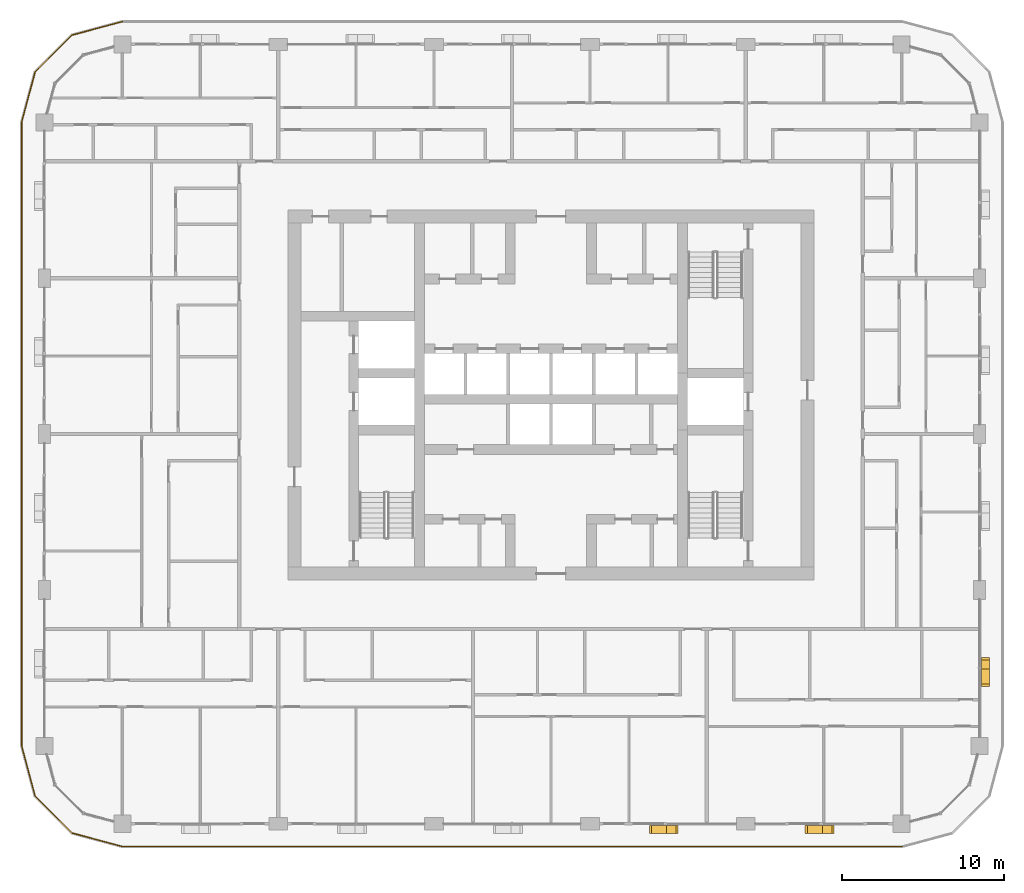
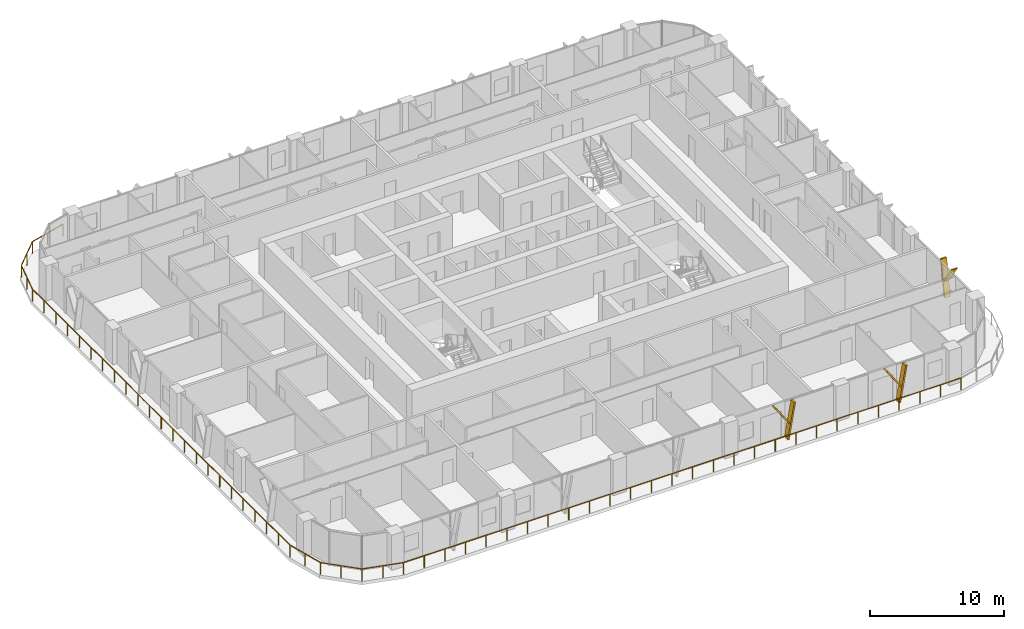
# One storey, part 19 of 22: 6 shading devices, 1 railing.
"""IFC4 building model written with IfcOpenShell, lengths in metres."""

from ifc_helpers import new_model, si_unit, direction, frame, origin, origin_2d, place, context, subcontext, project, spatial, polyline, circle, outline, extrude, material, type_object, element, save


model = new_model("IFC4")

# Units and contexts
model_context = context("Model", 3, precision=1e-05, world=origin(), true_north=direction((0.0, 1.0)))
body_context = subcontext(model_context, "Body", "Model", "MODEL_VIEW")
ifc_project = project(units=[si_unit("LENGTHUNIT", "METRE"), si_unit("AREAUNIT", "SQUARE_METRE"), si_unit("VOLUMEUNIT", "CUBIC_METRE"), si_unit("PLANEANGLEUNIT", "RADIAN"), si_unit("MASSUNIT", "GRAM", prefix="KILO")], contexts=[model_context])

# Site, building, storey
site_placement = place(None, origin())
site = spatial("IfcSite", under=ifc_project, at=site_placement, CompositionType="ELEMENT")
building_placement = place(site_placement, origin())
building = spatial("IfcBuilding", under=site, at=building_placement, Name="Madar Terraces", CompositionType="ELEMENT")
storey_placement = place(building_placement, frame((0.0, 0.0, 149.0)))
storey = spatial("IfcBuildingStorey", under=building, at=storey_placement, Name="L38", CompositionType="ELEMENT", Elevation=149.0)

# Railing
ifc_material_1 = material(Name="Glass, safety glazing, with stainless steel posts", Category="steel")
railing_type = type_object("IfcRailingType", Name="Balcony glass guard 1100", PredefinedType="GUARDRAIL", material=ifc_material_1)
railing_placement = place(storey_placement, frame((4.800048828125, 49.39990234375, 0.0)))
element("IfcRailing", 1, at=railing_placement, inside=storey, type_object=railing_type, Name="Balcony guard", PredefinedType="GUARDRAIL", context=body_context, shape_type="SweptSolid", body=[
    extrude(circle(Radius=0.02392578125, at=origin_2d()), frame((0.0, 0.0, 1.076171875), z_axis=(-0.9659337912, -0.258789317819, 0.0), x_axis=(0.258789317819, -0.9659337912, 0.0)), (0.0, 0.0, 1.0), 3.20947265625),
    extrude(circle(Radius=0.02392578125, at=origin_2d()), frame((-3.10009765625, -0.83056640625, 1.076171875), z_axis=(-0.707106781187, -0.707106781187, 0.0), x_axis=(0.707106781187, -0.707106781187, 0.0)), (0.0, 0.0, 1.0), 3.209228515625),
    extrude(circle(Radius=0.02392578125, at=origin_2d()), frame((-5.369384765625, -3.099853515625, 1.076171875), z_axis=(-0.258789317819, -0.9659337912, 0.0), x_axis=(0.9659337912, -0.258789317819, 0.0)), (0.0, 0.0, 1.0), 3.20947265625),
    extrude(circle(Radius=0.02392578125, at=origin_2d()), frame((-6.199951171875, -6.199951171875, 1.076171875), z_axis=(0.0, -1.0, 0.0), x_axis=(1.0, 0.0, 0.0)), (0.0, 0.0, 1.0), 38.39990234375),
    extrude(circle(Radius=0.02392578125, at=origin_2d()), frame((-6.199951171875, -44.599853515625, 1.076171875), z_axis=(0.258789317819, -0.9659337912, 0.0), x_axis=(0.9659337912, 0.258789317819, 0.0)), (0.0, 0.0, 1.0), 3.20947265625),
    extrude(circle(Radius=0.02392578125, at=origin_2d()), frame((-5.369384765625, -47.699951171875, 1.076171875), z_axis=(0.707106781187, -0.707106781187, 0.0), x_axis=(0.707106781187, 0.707106781187, 0.0)), (0.0, 0.0, 1.0), 3.209228515625),
    extrude(circle(Radius=0.02392578125, at=origin_2d()), frame((-3.10009765625, -49.96923828125, 1.076171875), z_axis=(0.9659337912, -0.258789317819, 0.0), x_axis=(0.258789317819, 0.9659337912, 0.0)), (0.0, 0.0, 1.0), 3.20947265625),
    extrude(circle(Radius=0.02392578125, at=origin_2d()), frame((0.0, -50.7998046875, 1.076171875), z_axis=(1.0, 0.0, 0.0), x_axis=(0.0, 1.0, 0.0)), (0.0, 0.0, 1.0), 48.0),
    extrude(circle(Radius=0.02099609375, at=origin_2d()), origin(), (0.0, 0.0, 1.0), 1.052001953125),
    extrude(circle(Radius=0.02099609375, at=origin_2d()), frame((-1.550048828125, -0.415283203125, 0.0)), (0.0, 0.0, 1.0), 1.052001953125),
    extrude(circle(Radius=0.02099609375, at=origin_2d()), frame((-3.10009765625, -0.83056640625, 0.0)), (0.0, 0.0, 1.0), 1.052001953125),
    extrude(circle(Radius=0.02099609375, at=origin_2d()), frame((-4.23486328125, -1.96533203125, 0.0)), (0.0, 0.0, 1.0), 1.052001953125),
    extrude(circle(Radius=0.02099609375, at=origin_2d()), frame((-5.369384765625, -3.099853515625, 0.0)), (0.0, 0.0, 1.0), 1.052001953125),
    extrude(circle(Radius=0.02099609375, at=origin_2d()), frame((-5.78466796875, -4.64990234375, 0.0)), (0.0, 0.0, 1.0), 1.052001953125),
    extrude(circle(Radius=0.02099609375, at=origin_2d()), frame((-6.199951171875, -6.199951171875, 0.0)), (0.0, 0.0, 1.0), 1.052001953125),
    extrude(circle(Radius=0.02099609375, at=origin_2d()), frame((-6.199951171875, -7.9453125, 0.0)), (0.0, 0.0, 1.0), 1.052001953125),
    extrude(circle(Radius=0.02099609375, at=origin_2d()), frame((-6.199951171875, -9.69091796875, 0.0)), (0.0, 0.0, 1.0), 1.052001953125),
    extrude(circle(Radius=0.02099609375, at=origin_2d()), frame((-6.199951171875, -11.436279296875, 0.0)), (0.0, 0.0, 1.0), 1.052001953125),
    extrude(circle(Radius=0.02099609375, at=origin_2d()), frame((-6.199951171875, -13.181640625, 0.0)), (0.0, 0.0, 1.0), 1.052001953125),
    extrude(circle(Radius=0.02099609375, at=origin_2d()), frame((-6.199951171875, -14.92724609375, 0.0)), (0.0, 0.0, 1.0), 1.052001953125),
    extrude(circle(Radius=0.02099609375, at=origin_2d()), frame((-6.199951171875, -16.672607421875, 0.0)), (0.0, 0.0, 1.0), 1.052001953125),
    extrude(circle(Radius=0.02099609375, at=origin_2d()), frame((-6.199951171875, -18.418212890625, 0.0)), (0.0, 0.0, 1.0), 1.052001953125),
    extrude(circle(Radius=0.02099609375, at=origin_2d()), frame((-6.199951171875, -20.16357421875, 0.0)), (0.0, 0.0, 1.0), 1.052001953125),
    extrude(circle(Radius=0.02099609375, at=origin_2d()), frame((-6.199951171875, -21.908935546875, 0.0)), (0.0, 0.0, 1.0), 1.052001953125),
    extrude(circle(Radius=0.02099609375, at=origin_2d()), frame((-6.199951171875, -23.654541015625, 0.0)), (0.0, 0.0, 1.0), 1.052001953125),
    extrude(circle(Radius=0.02099609375, at=origin_2d()), frame((-6.199951171875, -25.39990234375, 0.0)), (0.0, 0.0, 1.0), 1.052001953125),
    extrude(circle(Radius=0.02099609375, at=origin_2d()), frame((-6.199951171875, -27.145263671875, 0.0)), (0.0, 0.0, 1.0), 1.052001953125),
    extrude(circle(Radius=0.02099609375, at=origin_2d()), frame((-6.199951171875, -28.890869140625, 0.0)), (0.0, 0.0, 1.0), 1.052001953125),
    extrude(circle(Radius=0.02099609375, at=origin_2d()), frame((-6.199951171875, -30.63623046875, 0.0)), (0.0, 0.0, 1.0), 1.052001953125),
    extrude(circle(Radius=0.02099609375, at=origin_2d()), frame((-6.199951171875, -32.381591796875, 0.0)), (0.0, 0.0, 1.0), 1.052001953125),
    extrude(circle(Radius=0.02099609375, at=origin_2d()), frame((-6.199951171875, -34.127197265625, 0.0)), (0.0, 0.0, 1.0), 1.052001953125),
    extrude(circle(Radius=0.02099609375, at=origin_2d()), frame((-6.199951171875, -35.87255859375, 0.0)), (0.0, 0.0, 1.0), 1.052001953125),
    extrude(circle(Radius=0.02099609375, at=origin_2d()), frame((-6.199951171875, -37.6181640625, 0.0)), (0.0, 0.0, 1.0), 1.052001953125),
    extrude(circle(Radius=0.02099609375, at=origin_2d()), frame((-6.199951171875, -39.363525390625, 0.0)), (0.0, 0.0, 1.0), 1.052001953125),
    extrude(circle(Radius=0.02099609375, at=origin_2d()), frame((-6.199951171875, -41.10888671875, 0.0)), (0.0, 0.0, 1.0), 1.052001953125),
    extrude(circle(Radius=0.02099609375, at=origin_2d()), frame((-6.199951171875, -42.8544921875, 0.0)), (0.0, 0.0, 1.0), 1.052001953125),
    extrude(circle(Radius=0.02099609375, at=origin_2d()), frame((-6.199951171875, -44.599853515625, 0.0)), (0.0, 0.0, 1.0), 1.052001953125),
    extrude(circle(Radius=0.02099609375, at=origin_2d()), frame((-5.78466796875, -46.14990234375, 0.0)), (0.0, 0.0, 1.0), 1.052001953125),
    extrude(circle(Radius=0.02099609375, at=origin_2d()), frame((-5.369384765625, -47.699951171875, 0.0)), (0.0, 0.0, 1.0), 1.052001953125),
    extrude(circle(Radius=0.02099609375, at=origin_2d()), frame((-4.23486328125, -48.83447265625, 0.0)), (0.0, 0.0, 1.0), 1.052001953125),
    extrude(circle(Radius=0.02099609375, at=origin_2d()), frame((-3.10009765625, -49.96923828125, 0.0)), (0.0, 0.0, 1.0), 1.052001953125),
    extrude(circle(Radius=0.02099609375, at=origin_2d()), frame((-1.550048828125, -50.384521484375, 0.0)), (0.0, 0.0, 1.0), 1.052001953125),
    extrude(circle(Radius=0.02099609375, at=origin_2d()), frame((0.0, -50.7998046875, 0.0)), (0.0, 0.0, 1.0), 1.052001953125),
    extrude(circle(Radius=0.02099609375, at=origin_2d()), frame((1.77783203125, -50.7998046875, 0.0)), (0.0, 0.0, 1.0), 1.052001953125),
    extrude(circle(Radius=0.02099609375, at=origin_2d()), frame((3.5556640625, -50.7998046875, 0.0)), (0.0, 0.0, 1.0), 1.052001953125),
    extrude(circle(Radius=0.02099609375, at=origin_2d()), frame((5.333251953125, -50.7998046875, 0.0)), (0.0, 0.0, 1.0), 1.052001953125),
    extrude(circle(Radius=0.02099609375, at=origin_2d()), frame((7.111083984375, -50.7998046875, 0.0)), (0.0, 0.0, 1.0), 1.052001953125),
    extrude(circle(Radius=0.02099609375, at=origin_2d()), frame((8.888916015625, -50.7998046875, 0.0)), (0.0, 0.0, 1.0), 1.052001953125),
    extrude(circle(Radius=0.02099609375, at=origin_2d()), frame((10.666748046875, -50.7998046875, 0.0)), (0.0, 0.0, 1.0), 1.052001953125),
    extrude(circle(Radius=0.02099609375, at=origin_2d()), frame((12.4443359375, -50.7998046875, 0.0)), (0.0, 0.0, 1.0), 1.052001953125),
    extrude(circle(Radius=0.02099609375, at=origin_2d()), frame((14.22216796875, -50.7998046875, 0.0)), (0.0, 0.0, 1.0), 1.052001953125),
    extrude(circle(Radius=0.02099609375, at=origin_2d()), frame((16.0, -50.7998046875, 0.0)), (0.0, 0.0, 1.0), 1.052001953125),
    extrude(circle(Radius=0.02099609375, at=origin_2d()), frame((17.77783203125, -50.7998046875, 0.0)), (0.0, 0.0, 1.0), 1.052001953125),
    extrude(circle(Radius=0.02099609375, at=origin_2d()), frame((19.5556640625, -50.7998046875, 0.0)), (0.0, 0.0, 1.0), 1.052001953125),
    extrude(circle(Radius=0.02099609375, at=origin_2d()), frame((21.333251953125, -50.7998046875, 0.0)), (0.0, 0.0, 1.0), 1.052001953125),
    extrude(circle(Radius=0.02099609375, at=origin_2d()), frame((23.111083984375, -50.7998046875, 0.0)), (0.0, 0.0, 1.0), 1.052001953125),
    extrude(circle(Radius=0.02099609375, at=origin_2d()), frame((24.888916015625, -50.7998046875, 0.0)), (0.0, 0.0, 1.0), 1.052001953125),
    extrude(circle(Radius=0.02099609375, at=origin_2d()), frame((26.666748046875, -50.7998046875, 0.0)), (0.0, 0.0, 1.0), 1.052001953125),
    extrude(circle(Radius=0.02099609375, at=origin_2d()), frame((28.4443359375, -50.7998046875, 0.0)), (0.0, 0.0, 1.0), 1.052001953125),
    extrude(circle(Radius=0.02099609375, at=origin_2d()), frame((30.22216796875, -50.7998046875, 0.0)), (0.0, 0.0, 1.0), 1.052001953125),
    extrude(circle(Radius=0.02099609375, at=origin_2d()), frame((32.0, -50.7998046875, 0.0)), (0.0, 0.0, 1.0), 1.052001953125),
    extrude(circle(Radius=0.02099609375, at=origin_2d()), frame((33.77783203125, -50.7998046875, 0.0)), (0.0, 0.0, 1.0), 1.052001953125),
    extrude(circle(Radius=0.02099609375, at=origin_2d()), frame((35.5556640625, -50.7998046875, 0.0)), (0.0, 0.0, 1.0), 1.052001953125),
    extrude(circle(Radius=0.02099609375, at=origin_2d()), frame((37.333251953125, -50.7998046875, 0.0)), (0.0, 0.0, 1.0), 1.052001953125),
    extrude(circle(Radius=0.02099609375, at=origin_2d()), frame((39.111083984375, -50.7998046875, 0.0)), (0.0, 0.0, 1.0), 1.052001953125),
    extrude(circle(Radius=0.02099609375, at=origin_2d()), frame((40.888916015625, -50.7998046875, 0.0)), (0.0, 0.0, 1.0), 1.052001953125),
    extrude(circle(Radius=0.02099609375, at=origin_2d()), frame((42.666748046875, -50.7998046875, 0.0)), (0.0, 0.0, 1.0), 1.052001953125),
    extrude(circle(Radius=0.02099609375, at=origin_2d()), frame((44.4443359375, -50.7998046875, 0.0)), (0.0, 0.0, 1.0), 1.052001953125),
    extrude(circle(Radius=0.02099609375, at=origin_2d()), frame((46.22216796875, -50.7998046875, 0.0)), (0.0, 0.0, 1.0), 1.052001953125),
    extrude(circle(Radius=0.02099609375, at=origin_2d()), frame((48.0, -50.7998046875, 0.0)), (0.0, 0.0, 1.0), 1.052001953125),
])

# Shading devices
ifc_material_2 = material(Name="Aluminium, black anodised", Category="aluminium")
shading_device_type = type_object("IfcShadingDeviceType", Name="Facade fin blade 140 x 500", PredefinedType="USERDEFINED", material=ifc_material_2)
shading_device_1_placement = place(storey_placement, frame((38.330078125, -0.35009765625, 0.0), z_axis=(0.0, 0.0, 1.0), x_axis=(1.0, 0.0, 0.0)))
element("IfcShadingDevice", 2, at=shading_device_1_placement, inside=storey, type_object=shading_device_type, Name="FIN L38 S4", ObjectType="FIN", PredefinedType="USERDEFINED", context=body_context, shape_type="SweptSolid", body=[
    extrude(outline(polyline([(0.0, 0.0), (0.139892578125, 0.0), (0.704345703125, 3.199951171875), (0.564208984375, 3.199951171875), (0.0, 0.0)])), frame((0.0, 0.25, 0.0), z_axis=(0.0, -1.0, 0.0), x_axis=(1.0, 0.0, 0.0)), (0.0, 0.0, 1.0), 0.5),
])
shading_device_2_placement = place(storey_placement, frame((38.44384765625, -0.35009765625, 1.43994140625), z_axis=(0.0, 0.0, 1.0), x_axis=(1.0, 0.0, 0.0)))
element("IfcShadingDevice", 3, at=shading_device_2_placement, inside=storey, type_object=shading_device_type, Name="FIN L38 S4 branch", ObjectType="FIN", PredefinedType="USERDEFINED", context=body_context, shape_type="SweptSolid", body=[
    extrude(outline(polyline([(0.0, 0.0), (0.14013671875, 0.0), (-1.049560546875, 1.760009765625), (-1.189697265625, 1.760009765625), (0.0, 0.0)])), frame((0.0, 0.25, 0.0), z_axis=(0.0, -1.0, 0.0), x_axis=(1.0, 0.0, 0.0)), (0.0, 0.0, 1.0), 0.5),
])
shading_device_3_placement = place(storey_placement, frame((47.929931640625, -0.35009765625, 0.0), z_axis=(0.0, 0.0, 1.0), x_axis=(1.0, 0.0, 0.0)))
element("IfcShadingDevice", 4, at=shading_device_3_placement, inside=storey, type_object=shading_device_type, Name="FIN L38 S5", ObjectType="FIN", PredefinedType="USERDEFINED", context=body_context, shape_type="SweptSolid", body=[
    extrude(outline(polyline([(0.0, 0.0), (0.14013671875, 0.0), (0.704345703125, 3.199951171875), (0.564208984375, 3.199951171875), (0.0, 0.0)])), frame((0.0, 0.25, 0.0), z_axis=(0.0, -1.0, 0.0), x_axis=(1.0, 0.0, 0.0)), (0.0, 0.0, 1.0), 0.5),
])
shading_device_4_placement = place(storey_placement, frame((48.0439453125, -0.35009765625, 1.43994140625), z_axis=(0.0, 0.0, 1.0), x_axis=(1.0, 0.0, 0.0)))
element("IfcShadingDevice", 5, at=shading_device_4_placement, inside=storey, type_object=shading_device_type, Name="FIN L38 S5 branch", ObjectType="FIN", PredefinedType="USERDEFINED", context=body_context, shape_type="SweptSolid", body=[
    extrude(outline(polyline([(0.0, 0.0), (0.139892578125, 0.0), (-1.049560546875, 1.760009765625), (-1.189697265625, 1.760009765625), (0.0, 0.0)])), frame((0.0, 0.25, 0.0), z_axis=(0.0, -1.0, 0.0), x_axis=(1.0, 0.0, 0.0)), (0.0, 0.0, 1.0), 0.5),
])
shading_device_5_placement = place(storey_placement, frame((57.949951171875, 9.530029296875, 0.0), z_axis=(0.0, 0.0, 1.0), x_axis=(0.0, 1.0, 0.0)))
element("IfcShadingDevice", 6, at=shading_device_5_placement, inside=storey, type_object=shading_device_type, Name="FIN L38 E1", ObjectType="FIN", PredefinedType="USERDEFINED", context=body_context, shape_type="SweptSolid", body=[
    extrude(outline(polyline([(0.0, 0.0), (0.139892578125, 0.0), (0.704345703125, 3.199951171875), (0.564208984375, 3.199951171875), (0.0, 0.0)])), frame((0.0, 0.25, 0.0), z_axis=(0.0, -1.0, 0.0), x_axis=(1.0, 0.0, 0.0)), (0.0, 0.0, 1.0), 0.5),
])
shading_device_6_placement = place(storey_placement, frame((57.949951171875, 9.643798828125, 1.43994140625), z_axis=(0.0, 0.0, 1.0), x_axis=(0.0, 1.0, 0.0)))
element("IfcShadingDevice", 7, at=shading_device_6_placement, inside=storey, type_object=shading_device_type, Name="FIN L38 E1 branch", ObjectType="FIN", PredefinedType="USERDEFINED", context=body_context, shape_type="SweptSolid", body=[
    extrude(outline(polyline([(0.0, 0.0), (0.14013671875, 0.0), (-1.049560546875, 1.760009765625), (-1.189697265625, 1.760009765625), (0.0, 0.0)])), frame((0.0, 0.25, 0.0), z_axis=(0.0, -1.0, 0.0), x_axis=(1.0, 0.0, 0.0)), (0.0, 0.0, 1.0), 0.5),
])

save(model, "model.ifc")
